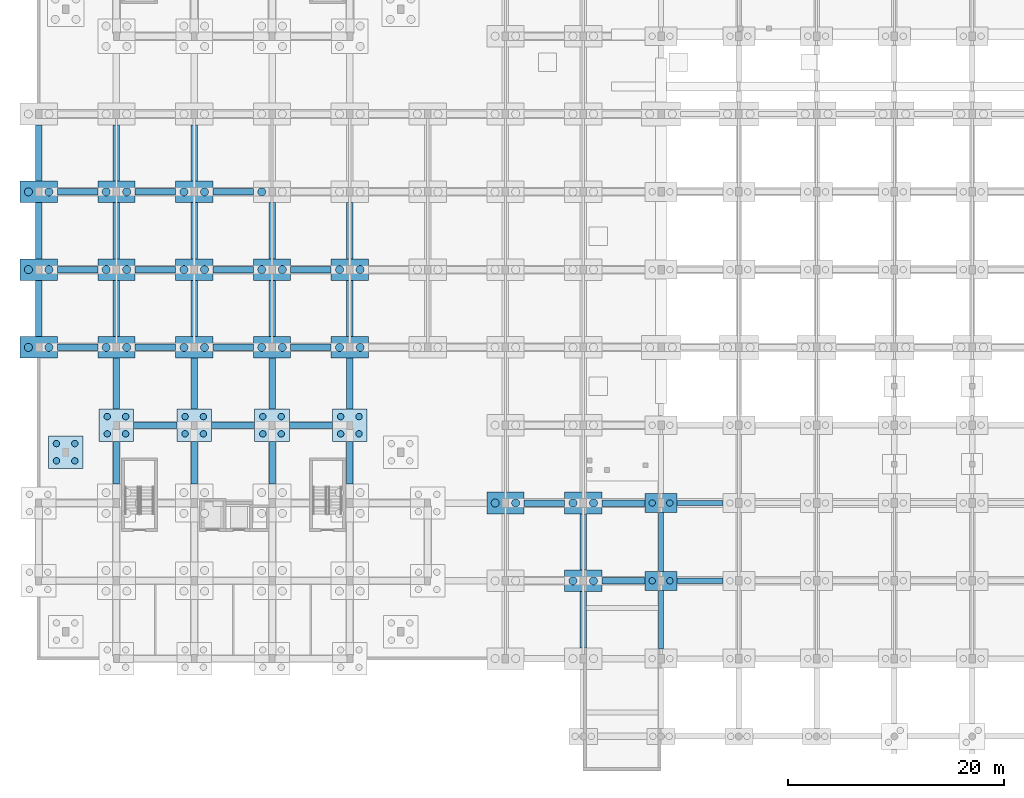
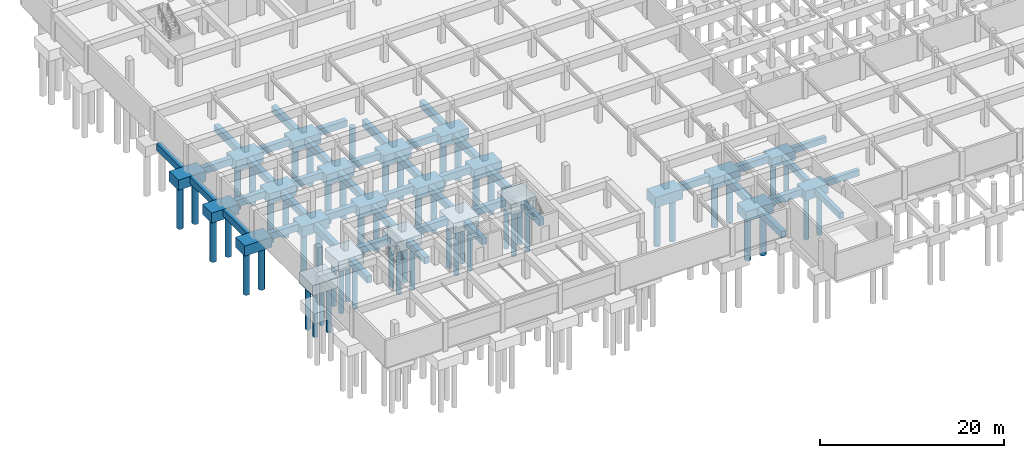
# One storey, part 2 of 36: 67 footings, 57 piles.
"""IFC4 building model written with IfcOpenShell, lengths in metres."""

from ifc_helpers import new_model, si_unit, direction, frame, origin, origin_2d, place, context, subcontext, project, spatial, rectangle, circle, extrude, material, material_profile, profile_set, type_object, element, save


model = new_model("IFC4")

# Units and contexts
model_context = context("Model", 3, precision=1e-05, world=origin(), true_north=direction((0.0, 1.0)))
body_context = subcontext(model_context, "Body", "Model", "MODEL_VIEW")
ifc_project = project(units=[si_unit("LENGTHUNIT", "METRE"), si_unit("AREAUNIT", "SQUARE_METRE"), si_unit("VOLUMEUNIT", "CUBIC_METRE"), si_unit("PLANEANGLEUNIT", "RADIAN"), si_unit("MASSUNIT", "GRAM", prefix="KILO")], contexts=[model_context])

# Site, building, storey
site_placement = place(None, origin())
site = spatial("IfcSite", under=ifc_project, at=site_placement, CompositionType="ELEMENT")
building_placement = place(site_placement, origin())
building = spatial("IfcBuilding", under=site, at=building_placement, Name="Ochrevale Crest", CompositionType="ELEMENT")
storey_placement = place(building_placement, frame((0.0, 0.0, -3.60009765625)))
storey = spatial("IfcBuildingStorey", under=building, at=storey_placement, Name="B1", CompositionType="ELEMENT", Elevation=-3.60009765625)

# Footings
ifc_material = material(Name="Concrete C40/50", Category="concrete")
footing_type_1 = type_object("IfcFootingType", Name="CAP-PC08", PredefinedType="PILE_CAP", material=ifc_material)
for number, where, z_axis, x_axis, name in (
    (1, (2.5, 33.5, -1.60986328125), (0.0, 0.0, 1.0), (1.0, 0.0, 0.0), "Pile cap PC08-010"),
    (2, (7.199951171875, 36.0, -1.60986328125), (0.0, 0.0, 1.0), (1.0, 0.0, 0.0), "Pile cap PC08-016"),
    (3, (14.39990234375, 36.0, -1.60986328125), (0.0, 0.0, 1.0), (1.0, 0.0, 0.0), "Pile cap PC08-028"),
    (4, (21.60009765625, 36.0, -1.60986328125), (0.0, 0.0, 1.0), (1.0, 0.0, 0.0), "Pile cap PC08-040"),
    (5, (28.800048828125, 36.0, -1.60986328125), (0.0, 0.0, 1.0), (1.0, 0.0, 0.0), "Pile cap PC08-052"),
):
    element("IfcFooting", number, at=place(storey_placement, frame(where, z_axis=z_axis, x_axis=x_axis)), inside=storey, type_object=footing_type_1, Name=name, PredefinedType="PILE_CAP", context=body_context, shape_type="SweptSolid", body=[
        extrude(rectangle(XDim=3.199951171875, YDim=3.0, at=origin_2d()), origin(), (0.0, 0.0, 1.0), 1.35009765625),
    ])
footing_type_2 = type_object("IfcFootingType", Name="CAP-PC12", PredefinedType="PILE_CAP", material=ifc_material)
for number, where, z_axis, x_axis, name in (
    (6, (0.0, 43.199951171875, -1.60986328125), (0.0, 0.0, 1.0), (1.0, 0.0, 0.0), "Pile cap PC12-003"),
    (7, (0.0, 50.39990234375, -1.60986328125), (0.0, 0.0, 1.0), (1.0, 0.0, 0.0), "Pile cap PC12-004"),
    (8, (0.0, 57.60009765625, -1.60986328125), (0.0, 0.0, 1.0), (1.0, 0.0, 0.0), "Pile cap PC12-005"),
    (9, (7.199951171875, 43.199951171875, -1.60986328125), (0.0, 0.0, 1.0), (1.0, 0.0, 0.0), "Pile cap PC12-017"),
    (10, (7.199951171875, 50.39990234375, -1.60986328125), (0.0, 0.0, 1.0), (1.0, 0.0, 0.0), "Pile cap PC12-018"),
    (11, (7.199951171875, 57.60009765625, -1.60986328125), (0.0, 0.0, 1.0), (1.0, 0.0, 0.0), "Pile cap PC12-019"),
    (12, (14.39990234375, 43.199951171875, -1.60986328125), (0.0, 0.0, 1.0), (1.0, 0.0, 0.0), "Pile cap PC12-029"),
    (13, (14.39990234375, 50.39990234375, -1.60986328125), (0.0, 0.0, 1.0), (1.0, 0.0, 0.0), "Pile cap PC12-030"),
    (14, (14.39990234375, 57.60009765625, -1.60986328125), (0.0, 0.0, 1.0), (1.0, 0.0, 0.0), "Pile cap PC12-031"),
    (15, (21.60009765625, 43.199951171875, -1.60986328125), (0.0, 0.0, 1.0), (1.0, 0.0, 0.0), "Pile cap PC12-041"),
    (16, (21.60009765625, 50.39990234375, -1.60986328125), (0.0, 0.0, 1.0), (1.0, 0.0, 0.0), "Pile cap PC12-042"),
    (17, (28.800048828125, 43.199951171875, -1.60986328125), (0.0, 0.0, 1.0), (1.0, 0.0, 0.0), "Pile cap PC12-053"),
    (18, (28.800048828125, 50.39990234375, -1.60986328125), (0.0, 0.0, 1.0), (1.0, 0.0, 0.0), "Pile cap PC12-054"),
    (19, (43.199951171875, 28.800048828125, -1.60986328125), (0.0, 0.0, 1.0), (1.0, 0.0, 0.0), "Pile cap PC12-075"),
    (20, (50.39990234375, 21.60009765625, -1.60986328125), (0.0, 0.0, 1.0), (1.0, 0.0, 0.0), "Pile cap PC12-087"),
    (21, (50.39990234375, 28.800048828125, -1.60986328125), (0.0, 0.0, 1.0), (1.0, 0.0, 0.0), "Pile cap PC12-088"),
):
    element("IfcFooting", number, at=place(storey_placement, frame(where, z_axis=z_axis, x_axis=x_axis)), inside=storey, type_object=footing_type_2, Name=name, PredefinedType="PILE_CAP", context=body_context, shape_type="SweptSolid", body=[
        extrude(rectangle(XDim=3.449951171875, YDim=2.0, at=origin_2d()), origin(), (0.0, 0.0, 1.0), 1.35009765625),
    ])
footing_type_3 = type_object("IfcFootingType", Name="CAP-PC14", PredefinedType="PILE_CAP", material=ifc_material)
for number, where, z_axis, x_axis, name in (
    (22, (57.60009765625, 21.60009765625, -1.510009765625), (0.0, 0.0, 1.0), (1.0, 0.0, 0.0), "Pile cap PC14-100"),
    (23, (57.60009765625, 28.800048828125, -1.510009765625), (0.0, 0.0, 1.0), (1.0, 0.0, 0.0), "Pile cap PC14-101"),
):
    element("IfcFooting", number, at=place(storey_placement, frame(where, z_axis=z_axis, x_axis=x_axis)), inside=storey, type_object=footing_type_3, Name=name, PredefinedType="PILE_CAP", context=body_context, shape_type="SweptSolid", body=[
        extrude(rectangle(XDim=2.949951171875, YDim=1.75, at=origin_2d()), origin(), (0.0, 0.0, 1.0), 1.25),
    ])
ifc_material_profile_1 = material_profile(ifc_material, rectangle(XDim=0.5, YDim=0.800048828125, at=origin_2d()), Name="GB 500x800")
ifc_profile_set_1 = profile_set([ifc_material_profile_1], Name="Concrete C40/50")
footing_type_4 = type_object("IfcFootingType", Name="FTG-GB500x800", PredefinedType="FOOTING_BEAM", material=ifc_profile_set_1)
footing_1_placement = place(storey_placement, frame((57.60009765625, 15.277099609375, -0.659912109375), z_axis=(0.0, 1.0, 0.0), x_axis=(-1.0, 0.0, 0.0)))
element("IfcFooting", 24, at=footing_1_placement, inside=storey, type_object=footing_type_4, Name="Foundation tie beam GB2-166", PredefinedType="FOOTING_BEAM", context=body_context, shape_type="SweptSolid", body=[
    extrude(rectangle(XDim=0.5, YDim=0.800048828125, at=origin_2d()), origin(), (0.0, 0.0, 1.0), 5.44580078125),
])
footing_2_placement = place(storey_placement, frame((59.076904296875, 21.60009765625, -0.659912109375), z_axis=(1.0, 0.0, 0.0), x_axis=(0.0, 1.0, 0.0)))
element("IfcFooting", 25, at=footing_2_placement, inside=storey, type_object=footing_type_4, Name="Foundation tie beam GB2-167", PredefinedType="FOOTING_BEAM", context=body_context, shape_type="SweptSolid", body=[
    extrude(rectangle(XDim=0.5, YDim=0.800048828125, at=origin_2d()), origin(), (0.0, 0.0, 1.0), 4.24609375),
])
footing_3_placement = place(storey_placement, frame((57.60009765625, 22.47705078125, -0.659912109375), z_axis=(0.0, 1.0, 0.0), x_axis=(-1.0, 0.0, 0.0)))
element("IfcFooting", 26, at=footing_3_placement, inside=storey, type_object=footing_type_4, Name="Foundation tie beam GB2-168", PredefinedType="FOOTING_BEAM", context=body_context, shape_type="SweptSolid", body=[
    extrude(rectangle(XDim=0.5, YDim=0.800048828125, at=origin_2d()), origin(), (0.0, 0.0, 1.0), 5.446044921875),
])
footing_4_placement = place(storey_placement, frame((59.076904296875, 28.800048828125, -0.659912109375), z_axis=(1.0, 0.0, 0.0), x_axis=(0.0, 1.0, 0.0)))
element("IfcFooting", 27, at=footing_4_placement, inside=storey, type_object=footing_type_4, Name="Foundation tie beam GB2-169", PredefinedType="FOOTING_BEAM", context=body_context, shape_type="SweptSolid", body=[
    extrude(rectangle(XDim=0.5, YDim=0.800048828125, at=origin_2d()), origin(), (0.0, 0.0, 1.0), 4.24609375),
])
ifc_material_profile_2 = material_profile(ifc_material, rectangle(XDim=0.60009765625, YDim=0.89990234375, at=origin_2d()), Name="GB 600x900")
ifc_profile_set_2 = profile_set([ifc_material_profile_2], Name="Concrete C40/50")
footing_type_5 = type_object("IfcFootingType", Name="FTG-GB600x900", PredefinedType="FOOTING_BEAM", material=ifc_profile_set_2)
footing_5_placement = place(storey_placement, frame((1.72705078125, 43.199951171875, -0.7099609375), z_axis=(1.0, 0.0, 0.0), x_axis=(0.0, 1.0, 0.0)))
element("IfcFooting", 28, at=footing_5_placement, inside=storey, type_object=footing_type_5, Name="Foundation tie beam GB1-004", PredefinedType="FOOTING_BEAM", context=body_context, shape_type="SweptSolid", body=[
    extrude(rectangle(XDim=0.60009765625, YDim=0.89990234375, at=origin_2d()), origin(), (0.0, 0.0, 1.0), 3.745849609375),
])
footing_6_placement = place(storey_placement, frame((0.0, 44.201904296875, -0.7099609375), z_axis=(0.0, 1.0, 0.0), x_axis=(-1.0, 0.0, 0.0)))
element("IfcFooting", 29, at=footing_6_placement, inside=storey, type_object=footing_type_5, Name="Foundation tie beam GB1-005", PredefinedType="FOOTING_BEAM", context=body_context, shape_type="SweptSolid", body=[
    extrude(rectangle(XDim=0.60009765625, YDim=0.89990234375, at=origin_2d()), origin(), (0.0, 0.0, 1.0), 5.196044921875),
])
footing_7_placement = place(storey_placement, frame((1.72705078125, 50.39990234375, -0.7099609375), z_axis=(1.0, 0.0, 0.0), x_axis=(0.0, 1.0, 0.0)))
element("IfcFooting", 30, at=footing_7_placement, inside=storey, type_object=footing_type_5, Name="Foundation tie beam GB1-006", PredefinedType="FOOTING_BEAM", context=body_context, shape_type="SweptSolid", body=[
    extrude(rectangle(XDim=0.60009765625, YDim=0.89990234375, at=origin_2d()), origin(), (0.0, 0.0, 1.0), 3.745849609375),
])
footing_8_placement = place(storey_placement, frame((0.0, 51.402099609375, -0.7099609375), z_axis=(0.0, 1.0, 0.0), x_axis=(-1.0, 0.0, 0.0)))
element("IfcFooting", 31, at=footing_8_placement, inside=storey, type_object=footing_type_5, Name="Foundation tie beam GB1-007", PredefinedType="FOOTING_BEAM", context=body_context, shape_type="SweptSolid", body=[
    extrude(rectangle(XDim=0.60009765625, YDim=0.89990234375, at=origin_2d()), origin(), (0.0, 0.0, 1.0), 5.19580078125),
])
footing_9_placement = place(storey_placement, frame((1.72705078125, 57.60009765625, -0.7099609375), z_axis=(1.0, 0.0, 0.0), x_axis=(0.0, 1.0, 0.0)))
element("IfcFooting", 32, at=footing_9_placement, inside=storey, type_object=footing_type_5, Name="Foundation tie beam GB1-008", PredefinedType="FOOTING_BEAM", context=body_context, shape_type="SweptSolid", body=[
    extrude(rectangle(XDim=0.60009765625, YDim=0.89990234375, at=origin_2d()), origin(), (0.0, 0.0, 1.0), 3.745849609375),
])
footing_10_placement = place(storey_placement, frame((0.0, 58.60205078125, -0.7099609375), z_axis=(0.0, 1.0, 0.0), x_axis=(-1.0, 0.0, 0.0)))
element("IfcFooting", 33, at=footing_10_placement, inside=storey, type_object=footing_type_5, Name="Foundation tie beam GB1-009", PredefinedType="FOOTING_BEAM", context=body_context, shape_type="SweptSolid", body=[
    extrude(rectangle(XDim=0.60009765625, YDim=0.89990234375, at=origin_2d()), origin(), (0.0, 0.0, 1.0), 5.196044921875),
])
footing_11_placement = place(storey_placement, frame((7.199951171875, 30.552001953125, -0.7099609375), z_axis=(0.0, 1.0, 0.0), x_axis=(-1.0, 0.0, 0.0)))
element("IfcFooting", 34, at=footing_11_placement, inside=storey, type_object=footing_type_5, Name="Foundation tie beam GB1-019", PredefinedType="FOOTING_BEAM", context=body_context, shape_type="SweptSolid", body=[
    extrude(rectangle(XDim=0.60009765625, YDim=0.89990234375, at=origin_2d()), origin(), (0.0, 0.0, 1.0), 3.946044921875),
])
footing_12_placement = place(storey_placement, frame((8.802001953125, 36.0, -0.7099609375), z_axis=(1.0, 0.0, 0.0), x_axis=(0.0, 1.0, 0.0)))
element("IfcFooting", 35, at=footing_12_placement, inside=storey, type_object=footing_type_5, Name="Foundation tie beam GB1-020", PredefinedType="FOOTING_BEAM", context=body_context, shape_type="SweptSolid", body=[
    extrude(rectangle(XDim=0.60009765625, YDim=0.89990234375, at=origin_2d()), origin(), (0.0, 0.0, 1.0), 3.99609375),
])
footing_13_placement = place(storey_placement, frame((7.199951171875, 37.501953125, -0.7099609375), z_axis=(0.0, 1.0, 0.0), x_axis=(-1.0, 0.0, 0.0)))
element("IfcFooting", 36, at=footing_13_placement, inside=storey, type_object=footing_type_5, Name="Foundation tie beam GB1-021", PredefinedType="FOOTING_BEAM", context=body_context, shape_type="SweptSolid", body=[
    extrude(rectangle(XDim=0.60009765625, YDim=0.89990234375, at=origin_2d()), origin(), (0.0, 0.0, 1.0), 4.696044921875),
])
footing_14_placement = place(storey_placement, frame((8.927001953125, 43.199951171875, -0.7099609375), z_axis=(1.0, 0.0, 0.0), x_axis=(0.0, 1.0, 0.0)))
element("IfcFooting", 37, at=footing_14_placement, inside=storey, type_object=footing_type_5, Name="Foundation tie beam GB1-022", PredefinedType="FOOTING_BEAM", context=body_context, shape_type="SweptSolid", body=[
    extrude(rectangle(XDim=0.60009765625, YDim=0.89990234375, at=origin_2d()), origin(), (0.0, 0.0, 1.0), 3.74609375),
])
footing_15_placement = place(storey_placement, frame((7.199951171875, 44.201904296875, -0.7099609375), z_axis=(0.0, 1.0, 0.0), x_axis=(-1.0, 0.0, 0.0)))
element("IfcFooting", 38, at=footing_15_placement, inside=storey, type_object=footing_type_5, Name="Foundation tie beam GB1-023", PredefinedType="FOOTING_BEAM", context=body_context, shape_type="SweptSolid", body=[
    extrude(rectangle(XDim=0.60009765625, YDim=0.89990234375, at=origin_2d()), origin(), (0.0, 0.0, 1.0), 5.196044921875),
])
footing_16_placement = place(storey_placement, frame((8.927001953125, 50.39990234375, -0.7099609375), z_axis=(1.0, 0.0, 0.0), x_axis=(0.0, 1.0, 0.0)))
element("IfcFooting", 39, at=footing_16_placement, inside=storey, type_object=footing_type_5, Name="Foundation tie beam GB1-024", PredefinedType="FOOTING_BEAM", context=body_context, shape_type="SweptSolid", body=[
    extrude(rectangle(XDim=0.60009765625, YDim=0.89990234375, at=origin_2d()), origin(), (0.0, 0.0, 1.0), 3.74609375),
])
footing_17_placement = place(storey_placement, frame((7.199951171875, 51.402099609375, -0.7099609375), z_axis=(0.0, 1.0, 0.0), x_axis=(-1.0, 0.0, 0.0)))
element("IfcFooting", 40, at=footing_17_placement, inside=storey, type_object=footing_type_5, Name="Foundation tie beam GB1-025", PredefinedType="FOOTING_BEAM", context=body_context, shape_type="SweptSolid", body=[
    extrude(rectangle(XDim=0.60009765625, YDim=0.89990234375, at=origin_2d()), origin(), (0.0, 0.0, 1.0), 5.19580078125),
])
footing_18_placement = place(storey_placement, frame((8.927001953125, 57.60009765625, -0.7099609375), z_axis=(1.0, 0.0, 0.0), x_axis=(0.0, 1.0, 0.0)))
element("IfcFooting", 41, at=footing_18_placement, inside=storey, type_object=footing_type_5, Name="Foundation tie beam GB1-026", PredefinedType="FOOTING_BEAM", context=body_context, shape_type="SweptSolid", body=[
    extrude(rectangle(XDim=0.60009765625, YDim=0.89990234375, at=origin_2d()), origin(), (0.0, 0.0, 1.0), 3.74609375),
])
footing_19_placement = place(storey_placement, frame((7.199951171875, 58.60205078125, -0.7099609375), z_axis=(0.0, 1.0, 0.0), x_axis=(-1.0, 0.0, 0.0)))
element("IfcFooting", 42, at=footing_19_placement, inside=storey, type_object=footing_type_5, Name="Foundation tie beam GB1-027", PredefinedType="FOOTING_BEAM", context=body_context, shape_type="SweptSolid", body=[
    extrude(rectangle(XDim=0.60009765625, YDim=0.89990234375, at=origin_2d()), origin(), (0.0, 0.0, 1.0), 5.196044921875),
])
footing_20_placement = place(storey_placement, frame((14.39990234375, 30.552001953125, -0.7099609375), z_axis=(0.0, 1.0, 0.0), x_axis=(-1.0, 0.0, 0.0)))
element("IfcFooting", 43, at=footing_20_placement, inside=storey, type_object=footing_type_5, Name="Foundation tie beam GB1-042", PredefinedType="FOOTING_BEAM", context=body_context, shape_type="SweptSolid", body=[
    extrude(rectangle(XDim=0.60009765625, YDim=0.89990234375, at=origin_2d()), origin(), (0.0, 0.0, 1.0), 3.946044921875),
])
footing_21_placement = place(storey_placement, frame((16.001953125, 36.0, -0.7099609375), z_axis=(1.0, 0.0, 0.0), x_axis=(0.0, 1.0, 0.0)))
element("IfcFooting", 44, at=footing_21_placement, inside=storey, type_object=footing_type_5, Name="Foundation tie beam GB1-043", PredefinedType="FOOTING_BEAM", context=body_context, shape_type="SweptSolid", body=[
    extrude(rectangle(XDim=0.60009765625, YDim=0.89990234375, at=origin_2d()), origin(), (0.0, 0.0, 1.0), 3.99609375),
])
footing_22_placement = place(storey_placement, frame((14.39990234375, 37.501953125, -0.7099609375), z_axis=(0.0, 1.0, 0.0), x_axis=(-1.0, 0.0, 0.0)))
element("IfcFooting", 45, at=footing_22_placement, inside=storey, type_object=footing_type_5, Name="Foundation tie beam GB1-044", PredefinedType="FOOTING_BEAM", context=body_context, shape_type="SweptSolid", body=[
    extrude(rectangle(XDim=0.60009765625, YDim=0.89990234375, at=origin_2d()), origin(), (0.0, 0.0, 1.0), 4.696044921875),
])
footing_23_placement = place(storey_placement, frame((16.126953125, 43.199951171875, -0.7099609375), z_axis=(1.0, 0.0, 0.0), x_axis=(0.0, 1.0, 0.0)))
element("IfcFooting", 46, at=footing_23_placement, inside=storey, type_object=footing_type_5, Name="Foundation tie beam GB1-045", PredefinedType="FOOTING_BEAM", context=body_context, shape_type="SweptSolid", body=[
    extrude(rectangle(XDim=0.60009765625, YDim=0.89990234375, at=origin_2d()), origin(), (0.0, 0.0, 1.0), 3.74609375),
])
footing_24_placement = place(storey_placement, frame((14.39990234375, 44.201904296875, -0.7099609375), z_axis=(0.0, 1.0, 0.0), x_axis=(-1.0, 0.0, 0.0)))
element("IfcFooting", 47, at=footing_24_placement, inside=storey, type_object=footing_type_5, Name="Foundation tie beam GB1-046", PredefinedType="FOOTING_BEAM", context=body_context, shape_type="SweptSolid", body=[
    extrude(rectangle(XDim=0.60009765625, YDim=0.89990234375, at=origin_2d()), origin(), (0.0, 0.0, 1.0), 5.196044921875),
])
footing_25_placement = place(storey_placement, frame((16.126953125, 50.39990234375, -0.7099609375), z_axis=(1.0, 0.0, 0.0), x_axis=(0.0, 1.0, 0.0)))
element("IfcFooting", 48, at=footing_25_placement, inside=storey, type_object=footing_type_5, Name="Foundation tie beam GB1-047", PredefinedType="FOOTING_BEAM", context=body_context, shape_type="SweptSolid", body=[
    extrude(rectangle(XDim=0.60009765625, YDim=0.89990234375, at=origin_2d()), origin(), (0.0, 0.0, 1.0), 3.74609375),
])
footing_26_placement = place(storey_placement, frame((14.39990234375, 51.402099609375, -0.7099609375), z_axis=(0.0, 1.0, 0.0), x_axis=(-1.0, 0.0, 0.0)))
element("IfcFooting", 49, at=footing_26_placement, inside=storey, type_object=footing_type_5, Name="Foundation tie beam GB1-048", PredefinedType="FOOTING_BEAM", context=body_context, shape_type="SweptSolid", body=[
    extrude(rectangle(XDim=0.60009765625, YDim=0.89990234375, at=origin_2d()), origin(), (0.0, 0.0, 1.0), 5.19580078125),
])
footing_27_placement = place(storey_placement, frame((16.126953125, 57.60009765625, -0.7099609375), z_axis=(1.0, 0.0, 0.0), x_axis=(0.0, 1.0, 0.0)))
element("IfcFooting", 50, at=footing_27_placement, inside=storey, type_object=footing_type_5, Name="Foundation tie beam GB1-049", PredefinedType="FOOTING_BEAM", context=body_context, shape_type="SweptSolid", body=[
    extrude(rectangle(XDim=0.60009765625, YDim=0.89990234375, at=origin_2d()), origin(), (0.0, 0.0, 1.0), 3.74609375),
])
footing_28_placement = place(storey_placement, frame((14.39990234375, 58.60205078125, -0.7099609375), z_axis=(0.0, 1.0, 0.0), x_axis=(-1.0, 0.0, 0.0)))
element("IfcFooting", 51, at=footing_28_placement, inside=storey, type_object=footing_type_5, Name="Foundation tie beam GB1-050", PredefinedType="FOOTING_BEAM", context=body_context, shape_type="SweptSolid", body=[
    extrude(rectangle(XDim=0.60009765625, YDim=0.89990234375, at=origin_2d()), origin(), (0.0, 0.0, 1.0), 5.196044921875),
])
footing_29_placement = place(storey_placement, frame((21.60009765625, 30.552001953125, -0.7099609375), z_axis=(0.0, 1.0, 0.0), x_axis=(-1.0, 0.0, 0.0)))
element("IfcFooting", 52, at=footing_29_placement, inside=storey, type_object=footing_type_5, Name="Foundation tie beam GB1-065", PredefinedType="FOOTING_BEAM", context=body_context, shape_type="SweptSolid", body=[
    extrude(rectangle(XDim=0.60009765625, YDim=0.89990234375, at=origin_2d()), origin(), (0.0, 0.0, 1.0), 3.946044921875),
])
footing_30_placement = place(storey_placement, frame((23.201904296875, 36.0, -0.7099609375), z_axis=(1.0, 0.0, 0.0), x_axis=(0.0, 1.0, 0.0)))
element("IfcFooting", 53, at=footing_30_placement, inside=storey, type_object=footing_type_5, Name="Foundation tie beam GB1-066", PredefinedType="FOOTING_BEAM", context=body_context, shape_type="SweptSolid", body=[
    extrude(rectangle(XDim=0.60009765625, YDim=0.89990234375, at=origin_2d()), origin(), (0.0, 0.0, 1.0), 3.99609375),
])
footing_31_placement = place(storey_placement, frame((21.60009765625, 37.501953125, -0.7099609375), z_axis=(0.0, 1.0, 0.0), x_axis=(-1.0, 0.0, 0.0)))
element("IfcFooting", 54, at=footing_31_placement, inside=storey, type_object=footing_type_5, Name="Foundation tie beam GB1-067", PredefinedType="FOOTING_BEAM", context=body_context, shape_type="SweptSolid", body=[
    extrude(rectangle(XDim=0.60009765625, YDim=0.89990234375, at=origin_2d()), origin(), (0.0, 0.0, 1.0), 4.696044921875),
])
footing_32_placement = place(storey_placement, frame((23.326904296875, 43.199951171875, -0.7099609375), z_axis=(1.0, 0.0, 0.0), x_axis=(0.0, 1.0, 0.0)))
element("IfcFooting", 55, at=footing_32_placement, inside=storey, type_object=footing_type_5, Name="Foundation tie beam GB1-068", PredefinedType="FOOTING_BEAM", context=body_context, shape_type="SweptSolid", body=[
    extrude(rectangle(XDim=0.60009765625, YDim=0.89990234375, at=origin_2d()), origin(), (0.0, 0.0, 1.0), 3.74609375),
])
footing_33_placement = place(storey_placement, frame((21.60009765625, 44.201904296875, -0.7099609375), z_axis=(0.0, 1.0, 0.0), x_axis=(-1.0, 0.0, 0.0)))
element("IfcFooting", 56, at=footing_33_placement, inside=storey, type_object=footing_type_5, Name="Foundation tie beam GB1-069", PredefinedType="FOOTING_BEAM", context=body_context, shape_type="SweptSolid", body=[
    extrude(rectangle(XDim=0.60009765625, YDim=0.89990234375, at=origin_2d()), origin(), (0.0, 0.0, 1.0), 5.196044921875),
])
footing_34_placement = place(storey_placement, frame((23.326904296875, 50.39990234375, -0.7099609375), z_axis=(1.0, 0.0, 0.0), x_axis=(0.0, 1.0, 0.0)))
element("IfcFooting", 57, at=footing_34_placement, inside=storey, type_object=footing_type_5, Name="Foundation tie beam GB1-070", PredefinedType="FOOTING_BEAM", context=body_context, shape_type="SweptSolid", body=[
    extrude(rectangle(XDim=0.60009765625, YDim=0.89990234375, at=origin_2d()), origin(), (0.0, 0.0, 1.0), 3.74609375),
])
footing_35_placement = place(storey_placement, frame((21.60009765625, 51.402099609375, -0.7099609375), z_axis=(0.0, 1.0, 0.0), x_axis=(-1.0, 0.0, 0.0)))
element("IfcFooting", 58, at=footing_35_placement, inside=storey, type_object=footing_type_5, Name="Foundation tie beam GB1-071", PredefinedType="FOOTING_BEAM", context=body_context, shape_type="SweptSolid", body=[
    extrude(rectangle(XDim=0.60009765625, YDim=0.89990234375, at=origin_2d()), origin(), (0.0, 0.0, 1.0), 5.19580078125),
])
footing_36_placement = place(storey_placement, frame((28.800048828125, 30.552001953125, -0.7099609375), z_axis=(0.0, 1.0, 0.0), x_axis=(-1.0, 0.0, 0.0)))
element("IfcFooting", 59, at=footing_36_placement, inside=storey, type_object=footing_type_5, Name="Foundation tie beam GB1-087", PredefinedType="FOOTING_BEAM", context=body_context, shape_type="SweptSolid", body=[
    extrude(rectangle(XDim=0.60009765625, YDim=0.89990234375, at=origin_2d()), origin(), (0.0, 0.0, 1.0), 3.946044921875),
])
footing_37_placement = place(storey_placement, frame((28.800048828125, 37.501953125, -0.7099609375), z_axis=(0.0, 1.0, 0.0), x_axis=(-1.0, 0.0, 0.0)))
element("IfcFooting", 60, at=footing_37_placement, inside=storey, type_object=footing_type_5, Name="Foundation tie beam GB1-088", PredefinedType="FOOTING_BEAM", context=body_context, shape_type="SweptSolid", body=[
    extrude(rectangle(XDim=0.60009765625, YDim=0.89990234375, at=origin_2d()), origin(), (0.0, 0.0, 1.0), 4.696044921875),
])
footing_38_placement = place(storey_placement, frame((28.800048828125, 44.201904296875, -0.7099609375), z_axis=(0.0, 1.0, 0.0), x_axis=(-1.0, 0.0, 0.0)))
element("IfcFooting", 61, at=footing_38_placement, inside=storey, type_object=footing_type_5, Name="Foundation tie beam GB1-090", PredefinedType="FOOTING_BEAM", context=body_context, shape_type="SweptSolid", body=[
    extrude(rectangle(XDim=0.60009765625, YDim=0.89990234375, at=origin_2d()), origin(), (0.0, 0.0, 1.0), 5.196044921875),
])
footing_39_placement = place(storey_placement, frame((28.800048828125, 51.402099609375, -0.7099609375), z_axis=(0.0, 1.0, 0.0), x_axis=(-1.0, 0.0, 0.0)))
element("IfcFooting", 62, at=footing_39_placement, inside=storey, type_object=footing_type_5, Name="Foundation tie beam GB1-092", PredefinedType="FOOTING_BEAM", context=body_context, shape_type="SweptSolid", body=[
    extrude(rectangle(XDim=0.60009765625, YDim=0.89990234375, at=origin_2d()), origin(), (0.0, 0.0, 1.0), 5.19580078125),
])
footing_40_placement = place(storey_placement, frame((44.927001953125, 28.800048828125, -0.7099609375), z_axis=(1.0, 0.0, 0.0), x_axis=(0.0, 1.0, 0.0)))
element("IfcFooting", 63, at=footing_40_placement, inside=storey, type_object=footing_type_5, Name="Foundation tie beam GB1-119", PredefinedType="FOOTING_BEAM", context=body_context, shape_type="SweptSolid", body=[
    extrude(rectangle(XDim=0.60009765625, YDim=0.89990234375, at=origin_2d()), origin(), (0.0, 0.0, 1.0), 3.74609375),
])
footing_41_placement = place(storey_placement, frame((50.39990234375, 15.402099609375, -0.7099609375), z_axis=(0.0, 1.0, 0.0), x_axis=(-1.0, 0.0, 0.0)))
element("IfcFooting", 64, at=footing_41_placement, inside=storey, type_object=footing_type_5, Name="Foundation tie beam GB1-141", PredefinedType="FOOTING_BEAM", context=body_context, shape_type="SweptSolid", body=[
    extrude(rectangle(XDim=0.60009765625, YDim=0.89990234375, at=origin_2d()), origin(), (0.0, 0.0, 1.0), 5.19580078125),
])
footing_42_placement = place(storey_placement, frame((52.126953125, 21.60009765625, -0.7099609375), z_axis=(1.0, 0.0, 0.0), x_axis=(0.0, 1.0, 0.0)))
element("IfcFooting", 65, at=footing_42_placement, inside=storey, type_object=footing_type_5, Name="Foundation tie beam GB1-142", PredefinedType="FOOTING_BEAM", context=body_context, shape_type="SweptSolid", body=[
    extrude(rectangle(XDim=0.60009765625, YDim=0.89990234375, at=origin_2d()), origin(), (0.0, 0.0, 1.0), 3.99609375),
])
footing_43_placement = place(storey_placement, frame((50.39990234375, 22.60205078125, -0.7099609375), z_axis=(0.0, 1.0, 0.0), x_axis=(-1.0, 0.0, 0.0)))
element("IfcFooting", 66, at=footing_43_placement, inside=storey, type_object=footing_type_5, Name="Foundation tie beam GB1-143", PredefinedType="FOOTING_BEAM", context=body_context, shape_type="SweptSolid", body=[
    extrude(rectangle(XDim=0.60009765625, YDim=0.89990234375, at=origin_2d()), origin(), (0.0, 0.0, 1.0), 5.196044921875),
])
footing_44_placement = place(storey_placement, frame((52.126953125, 28.800048828125, -0.7099609375), z_axis=(1.0, 0.0, 0.0), x_axis=(0.0, 1.0, 0.0)))
element("IfcFooting", 67, at=footing_44_placement, inside=storey, type_object=footing_type_5, Name="Foundation tie beam GB1-144", PredefinedType="FOOTING_BEAM", context=body_context, shape_type="SweptSolid", body=[
    extrude(rectangle(XDim=0.60009765625, YDim=0.89990234375, at=origin_2d()), origin(), (0.0, 0.0, 1.0), 3.99609375),
])

# Piles
ifc_material_profile_3 = material_profile(ifc_material, circle(Radius=0.300048828125, at=origin_2d()), Name="BORED PILE 600")
ifc_profile_set_3 = profile_set([ifc_material_profile_3], Name="Concrete C40/50")
pile_type_1 = type_object("IfcPileType", Name="PILE-BP600", PredefinedType="BORED", material=ifc_profile_set_3)
for number, where, z_axis, x_axis, name in (
    (68, (1.64990234375, 32.699951171875, -1.510009765625), (0.0, 0.0, -1.0), (1.0, 0.0, 0.0), "Bored pile P1-010-1"),
    (69, (3.35009765625, 32.699951171875, -1.510009765625), (0.0, 0.0, -1.0), (1.0, 0.0, 0.0), "Bored pile P1-010-2"),
    (70, (1.64990234375, 34.300048828125, -1.510009765625), (0.0, 0.0, -1.0), (1.0, 0.0, 0.0), "Bored pile P1-010-3"),
    (71, (3.35009765625, 34.300048828125, -1.510009765625), (0.0, 0.0, -1.0), (1.0, 0.0, 0.0), "Bored pile P1-010-4"),
    (72, (6.35009765625, 35.199951171875, -1.510009765625), (0.0, 0.0, -1.0), (1.0, 0.0, 0.0), "Bored pile P1-016-1"),
    (73, (8.050048828125, 35.199951171875, -1.510009765625), (0.0, 0.0, -1.0), (1.0, 0.0, 0.0), "Bored pile P1-016-2"),
    (74, (6.35009765625, 36.800048828125, -1.510009765625), (0.0, 0.0, -1.0), (1.0, 0.0, 0.0), "Bored pile P1-016-3"),
    (75, (8.050048828125, 36.800048828125, -1.510009765625), (0.0, 0.0, -1.0), (1.0, 0.0, 0.0), "Bored pile P1-016-4"),
    (76, (13.550048828125, 35.199951171875, -1.510009765625), (0.0, 0.0, -1.0), (1.0, 0.0, 0.0), "Bored pile P1-028-1"),
    (77, (15.25, 35.199951171875, -1.510009765625), (0.0, 0.0, -1.0), (1.0, 0.0, 0.0), "Bored pile P1-028-2"),
    (78, (13.550048828125, 36.800048828125, -1.510009765625), (0.0, 0.0, -1.0), (1.0, 0.0, 0.0), "Bored pile P1-028-3"),
    (79, (15.25, 36.800048828125, -1.510009765625), (0.0, 0.0, -1.0), (1.0, 0.0, 0.0), "Bored pile P1-028-4"),
    (80, (20.75, 35.199951171875, -1.510009765625), (0.0, 0.0, -1.0), (1.0, 0.0, 0.0), "Bored pile P1-040-1"),
    (81, (22.449951171875, 35.199951171875, -1.510009765625), (0.0, 0.0, -1.0), (1.0, 0.0, 0.0), "Bored pile P1-040-2"),
    (82, (20.75, 36.800048828125, -1.510009765625), (0.0, 0.0, -1.0), (1.0, 0.0, 0.0), "Bored pile P1-040-3"),
    (83, (22.449951171875, 36.800048828125, -1.510009765625), (0.0, 0.0, -1.0), (1.0, 0.0, 0.0), "Bored pile P1-040-4"),
    (84, (27.949951171875, 35.199951171875, -1.510009765625), (0.0, 0.0, -1.0), (1.0, 0.0, 0.0), "Bored pile P1-052-1"),
    (85, (29.64990234375, 35.199951171875, -1.510009765625), (0.0, 0.0, -1.0), (1.0, 0.0, 0.0), "Bored pile P1-052-2"),
    (86, (27.949951171875, 36.800048828125, -1.510009765625), (0.0, 0.0, -1.0), (1.0, 0.0, 0.0), "Bored pile P1-052-3"),
    (87, (29.64990234375, 36.800048828125, -1.510009765625), (0.0, 0.0, -1.0), (1.0, 0.0, 0.0), "Bored pile P1-052-4"),
):
    element("IfcPile", number, at=place(storey_placement, frame(where, z_axis=z_axis, x_axis=x_axis)), inside=storey, type_object=pile_type_1, Name=name, PredefinedType="BORED", context=body_context, shape_type="SweptSolid", body=[
        extrude(circle(Radius=0.300048828125, at=origin_2d()), origin(), (0.0, 0.0, 1.0), 6.090087890625),
    ])
for number, where, z_axis, x_axis, name in (
    (88, (56.780029296875, 21.60009765625, -1.409912109375), (0.0, 0.0, -1.0), (1.0, 0.0, 0.0), "Bored pile P1-100-1"),
    (89, (58.419921875, 21.60009765625, -1.409912109375), (0.0, 0.0, -1.0), (1.0, 0.0, 0.0), "Bored pile P1-100-2"),
    (90, (56.780029296875, 28.800048828125, -1.409912109375), (0.0, 0.0, -1.0), (1.0, 0.0, 0.0), "Bored pile P1-101-1"),
    (91, (58.419921875, 28.800048828125, -1.409912109375), (0.0, 0.0, -1.0), (1.0, 0.0, 0.0), "Bored pile P1-101-2"),
):
    element("IfcPile", number, at=place(storey_placement, frame(where, z_axis=z_axis, x_axis=x_axis)), inside=storey, type_object=pile_type_1, Name=name, PredefinedType="BORED", context=body_context, shape_type="SweptSolid", body=[
        extrude(circle(Radius=0.300048828125, at=origin_2d()), origin(), (0.0, 0.0, 1.0), 5.7900390625),
    ])
ifc_material_profile_4 = material_profile(ifc_material, circle(Radius=0.375, at=origin_2d()), Name="BORED PILE 750")
ifc_profile_set_4 = profile_set([ifc_material_profile_4], Name="Concrete C40/50")
pile_type_2 = type_object("IfcPileType", Name="PILE-BP750", PredefinedType="BORED", material=ifc_profile_set_4)
for number, where, z_axis, x_axis, name in (
    (92, (-0.949951171875, 43.199951171875, -1.510009765625), (0.0, 0.0, -1.0), (1.0, 0.0, 0.0), "Bored pile P2-003-1"),
    (93, (0.949951171875, 43.199951171875, -1.510009765625), (0.0, 0.0, -1.0), (1.0, 0.0, 0.0), "Bored pile P2-003-2"),
    (94, (-0.949951171875, 50.39990234375, -1.510009765625), (0.0, 0.0, -1.0), (1.0, 0.0, 0.0), "Bored pile P2-004-1"),
    (95, (0.949951171875, 50.39990234375, -1.510009765625), (0.0, 0.0, -1.0), (1.0, 0.0, 0.0), "Bored pile P2-004-2"),
    (96, (-0.949951171875, 57.60009765625, -1.510009765625), (0.0, 0.0, -1.0), (1.0, 0.0, 0.0), "Bored pile P2-005-1"),
    (97, (0.949951171875, 57.60009765625, -1.510009765625), (0.0, 0.0, -1.0), (1.0, 0.0, 0.0), "Bored pile P2-005-2"),
    (98, (6.25, 43.199951171875, -1.510009765625), (0.0, 0.0, -1.0), (1.0, 0.0, 0.0), "Bored pile P2-017-1"),
    (99, (8.14990234375, 43.199951171875, -1.510009765625), (0.0, 0.0, -1.0), (1.0, 0.0, 0.0), "Bored pile P2-017-2"),
    (100, (6.25, 50.39990234375, -1.510009765625), (0.0, 0.0, -1.0), (1.0, 0.0, 0.0), "Bored pile P2-018-1"),
    (101, (8.14990234375, 50.39990234375, -1.510009765625), (0.0, 0.0, -1.0), (1.0, 0.0, 0.0), "Bored pile P2-018-2"),
    (102, (6.25, 57.60009765625, -1.510009765625), (0.0, 0.0, -1.0), (1.0, 0.0, 0.0), "Bored pile P2-019-1"),
    (103, (8.14990234375, 57.60009765625, -1.510009765625), (0.0, 0.0, -1.0), (1.0, 0.0, 0.0), "Bored pile P2-019-2"),
    (104, (13.449951171875, 43.199951171875, -1.510009765625), (0.0, 0.0, -1.0), (1.0, 0.0, 0.0), "Bored pile P2-029-1"),
    (105, (15.35009765625, 43.199951171875, -1.510009765625), (0.0, 0.0, -1.0), (1.0, 0.0, 0.0), "Bored pile P2-029-2"),
    (106, (13.449951171875, 50.39990234375, -1.510009765625), (0.0, 0.0, -1.0), (1.0, 0.0, 0.0), "Bored pile P2-030-1"),
    (107, (15.35009765625, 50.39990234375, -1.510009765625), (0.0, 0.0, -1.0), (1.0, 0.0, 0.0), "Bored pile P2-030-2"),
    (108, (13.449951171875, 57.60009765625, -1.510009765625), (0.0, 0.0, -1.0), (1.0, 0.0, 0.0), "Bored pile P2-031-1"),
    (109, (15.35009765625, 57.60009765625, -1.510009765625), (0.0, 0.0, -1.0), (1.0, 0.0, 0.0), "Bored pile P2-031-2"),
    (110, (20.64990234375, 43.199951171875, -1.510009765625), (0.0, 0.0, -1.0), (1.0, 0.0, 0.0), "Bored pile P2-041-1"),
    (111, (22.550048828125, 43.199951171875, -1.510009765625), (0.0, 0.0, -1.0), (1.0, 0.0, 0.0), "Bored pile P2-041-2"),
    (112, (20.64990234375, 50.39990234375, -1.510009765625), (0.0, 0.0, -1.0), (1.0, 0.0, 0.0), "Bored pile P2-042-1"),
    (113, (22.550048828125, 50.39990234375, -1.510009765625), (0.0, 0.0, -1.0), (1.0, 0.0, 0.0), "Bored pile P2-042-2"),
    (114, (20.64990234375, 57.60009765625, -1.510009765625), (0.0, 0.0, -1.0), (1.0, 0.0, 0.0), "Bored pile P2-043-1"),
    (115, (27.85009765625, 43.199951171875, -1.510009765625), (0.0, 0.0, -1.0), (1.0, 0.0, 0.0), "Bored pile P2-053-1"),
    (116, (29.75, 43.199951171875, -1.510009765625), (0.0, 0.0, -1.0), (1.0, 0.0, 0.0), "Bored pile P2-053-2"),
    (117, (27.85009765625, 50.39990234375, -1.510009765625), (0.0, 0.0, -1.0), (1.0, 0.0, 0.0), "Bored pile P2-054-1"),
    (118, (29.75, 50.39990234375, -1.510009765625), (0.0, 0.0, -1.0), (1.0, 0.0, 0.0), "Bored pile P2-054-2"),
    (119, (42.25, 28.800048828125, -1.510009765625), (0.0, 0.0, -1.0), (1.0, 0.0, 0.0), "Bored pile P2-075-1"),
    (120, (44.14990234375, 28.800048828125, -1.510009765625), (0.0, 0.0, -1.0), (1.0, 0.0, 0.0), "Bored pile P2-075-2"),
    (121, (49.449951171875, 21.60009765625, -1.510009765625), (0.0, 0.0, -1.0), (1.0, 0.0, 0.0), "Bored pile P2-087-1"),
    (122, (51.35009765625, 21.60009765625, -1.510009765625), (0.0, 0.0, -1.0), (1.0, 0.0, 0.0), "Bored pile P2-087-2"),
    (123, (49.449951171875, 28.800048828125, -1.510009765625), (0.0, 0.0, -1.0), (1.0, 0.0, 0.0), "Bored pile P2-088-1"),
    (124, (51.35009765625, 28.800048828125, -1.510009765625), (0.0, 0.0, -1.0), (1.0, 0.0, 0.0), "Bored pile P2-088-2"),
):
    element("IfcPile", number, at=place(storey_placement, frame(where, z_axis=z_axis, x_axis=x_axis)), inside=storey, type_object=pile_type_2, Name=name, PredefinedType="BORED", context=body_context, shape_type="SweptSolid", body=[
        extrude(circle(Radius=0.375, at=origin_2d()), origin(), (0.0, 0.0, 1.0), 5.889892578125),
    ])

save(model, "model.ifc")
